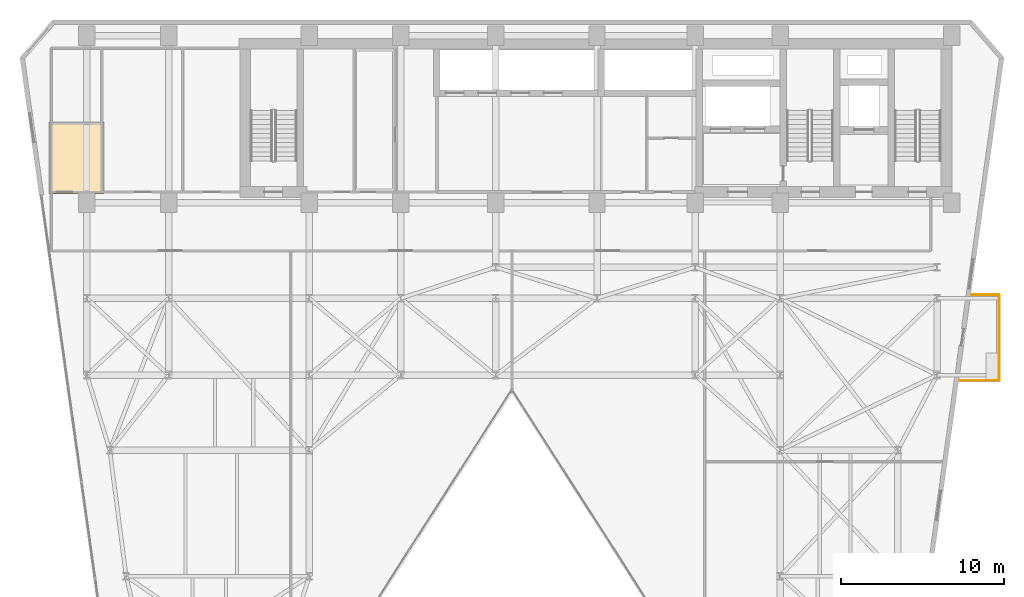
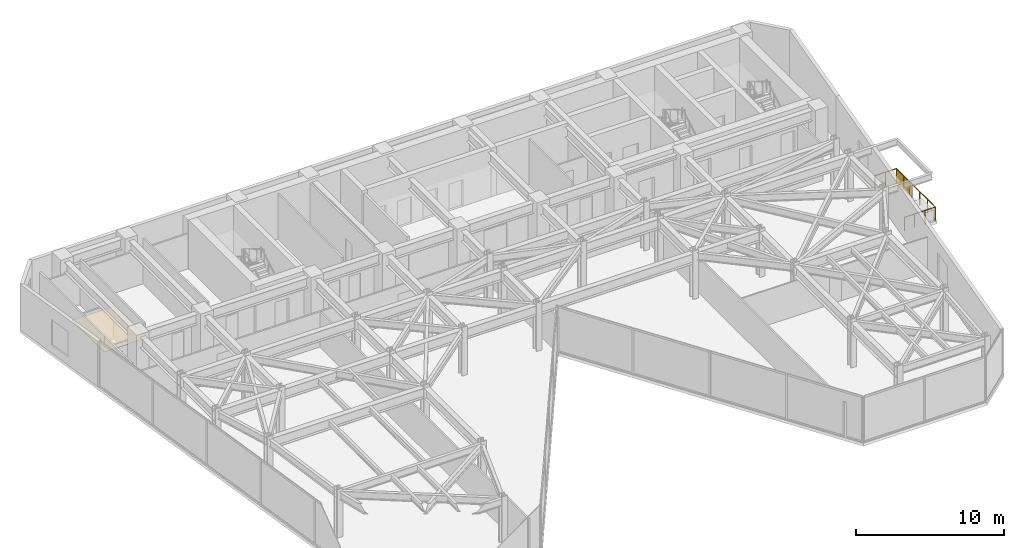
# One storey, part 24 of 26: 3 railings, 1 covering, 1 shading device.
"""IFC4 building model written with IfcOpenShell, lengths in metres."""

from ifc_helpers import new_model, si_unit, direction, frame, origin, origin_2d, place, context, subcontext, project, spatial, polyline, rectangle, circle, outline, extrude, material, layer, layer_set, type_object, element, save


model = new_model("IFC4")

# Units and contexts
model_context = context("Model", 3, precision=1e-05, world=origin(), true_north=direction((0.0, 1.0)))
body_context = subcontext(model_context, "Body", "Model", "MODEL_VIEW")
ifc_project = project(units=[si_unit("LENGTHUNIT", "METRE"), si_unit("AREAUNIT", "SQUARE_METRE"), si_unit("VOLUMEUNIT", "CUBIC_METRE"), si_unit("PLANEANGLEUNIT", "RADIAN"), si_unit("MASSUNIT", "GRAM", prefix="KILO")], contexts=[model_context])

# Site, building, storey
site_placement = place(None, origin())
site = spatial("IfcSite", under=ifc_project, at=site_placement, CompositionType="ELEMENT")
building_placement = place(site_placement, origin())
building = spatial("IfcBuilding", under=site, at=building_placement, Name="Kravanh Interchange Tower", CompositionType="ELEMENT")
storey_placement = place(building_placement, frame((0.0, 0.0, 120.0)))
storey = spatial("IfcBuildingStorey", under=building, at=storey_placement, Name="L28", CompositionType="ELEMENT", Elevation=120.0)

# Covering
ifc_material_1 = material(Name="Acoustic Mineral Fibre Tile on Aluminium Grid", Category="aluminium")
ifc_layer_1 = layer(ifc_material_1, 0.02490234375)
ifc_layer_set_1 = layer_set([ifc_layer_1], Name="Perforated Acoustic Mineral Ceiling 25mm")
covering_type = type_object("IfcCoveringType", Name="Perforated Acoustic Mineral Ceiling 25mm", PredefinedType="CEILING", material=ifc_layer_set_1)
covering_placement = place(storey_placement, frame((0.0, 0.0, 2.550048828125)))
element("IfcCovering", 1, at=covering_placement, inside=storey, type_object=covering_type, Name="L28 Accessible WC Suspended Ceiling", PredefinedType="CEILING", context=body_context, shape_type="SweptSolid", body=[
    extrude(outline(polyline([(14.659912109375, 42.280029296875), (14.659912109375, 37.909912109375), (14.10009765625, 37.909912109375), (14.10009765625, 37.949951171875), (13.10009765625, 37.949951171875), (13.10009765625, 37.909912109375), (11.280029296875, 37.909912109375), (11.280029296875, 42.280029296875), (14.659912109375, 42.280029296875)])), origin(), (0.0, 0.0, 1.0), 0.02490234375),
])

# Shading device
ifc_material_2 = material(Name="Perforated Anodised Bronze Aluminium", Category="aluminium")
ifc_layer_2 = layer(ifc_material_2, 0.0400390625)
ifc_layer_set_2 = layer_set([ifc_layer_2], Name="Perforated Bronze Balcony Privacy Screen 1150mm")
shading_device_type = type_object("IfcShadingDeviceType", Name="Perforated Bronze Balcony Privacy Screen 1150mm", PredefinedType="USERDEFINED", material=ifc_layer_set_2)
shading_device_placement = place(storey_placement, frame((69.409912109375, 30.739990234375, 0.0), z_axis=(0.0, 0.0, 1.0), x_axis=(1.0, 0.0, 0.0)))
element("IfcShadingDevice", 2, at=shading_device_placement, inside=storey, type_object=shading_device_type, Name="L28 E Perforated Bronze BALCONY SCREEN", ObjectType="SCREEN", PredefinedType="USERDEFINED", context=body_context, shape_type="SweptSolid", body=[
    extrude(rectangle(XDim=0.0400390625, YDim=1.800048828125, at=origin_2d()), origin(), (0.0, 0.0, 1.0), 1.14990234375),
])

# Railings
ifc_material_3 = material(Name="Stainless Steel 316", Category="steel")
ifc_layer_3 = layer(ifc_material_3, 0.06005859375)
ifc_layer_set_3 = layer_set([ifc_layer_3], Name="Perimeter Balcony and Terrace Guardrail Stainless 316 1120mm")
railing_type = type_object("IfcRailingType", Name="Perimeter Balcony and Terrace Guardrail Stainless 316 1120mm", PredefinedType="GUARDRAIL", material=ifc_layer_set_3)
railing_1_placement = place(storey_placement, frame((69.409912109375, 31.7099609375, 0.0)))
element("IfcRailing", 3, at=railing_1_placement, inside=storey, type_object=railing_type, Name="L28 E Balcony Guardrail 1", PredefinedType="GUARDRAIL", context=body_context, shape_type="SweptSolid", body=[
    extrude(circle(Radius=0.02392578125, at=origin_2d()), frame((0.0, 0.0, 1.09619140625), z_axis=(0.0, -1.0, 0.0), x_axis=(1.0, 0.0, 0.0)), (0.0, 0.0, 1.0), 5.239990234375),
    extrude(circle(Radius=0.02099609375, at=origin_2d()), origin(), (0.0, 0.0, 1.0), 1.072021484375),
    extrude(circle(Radius=0.02099609375, at=origin_2d()), frame((0.0, -1.048095703125, 0.0)), (0.0, 0.0, 1.0), 1.072021484375),
    extrude(circle(Radius=0.02099609375, at=origin_2d()), frame((0.0, -2.095947265625, 0.0)), (0.0, 0.0, 1.0), 1.072021484375),
    extrude(circle(Radius=0.02099609375, at=origin_2d()), frame((0.0, -3.14404296875, 0.0)), (0.0, 0.0, 1.0), 1.072021484375),
    extrude(circle(Radius=0.02099609375, at=origin_2d()), frame((0.0, -4.19189453125, 0.0)), (0.0, 0.0, 1.0), 1.072021484375),
    extrude(circle(Radius=0.02099609375, at=origin_2d()), frame((0.0, -5.239990234375, 0.0)), (0.0, 0.0, 1.0), 1.072021484375),
])
railing_2_placement = place(storey_placement, frame((69.409912109375, 26.469970703125, 0.0)))
element("IfcRailing", 4, at=railing_2_placement, inside=storey, type_object=railing_type, Name="L28 E Balcony Guardrail 2", PredefinedType="GUARDRAIL", context=body_context, shape_type="SweptSolid", body=[
    extrude(circle(Radius=0.02392578125, at=origin_2d()), frame((0.0, 0.0, 1.09619140625), z_axis=(-1.0, 0.0, 0.0), x_axis=(0.0, -1.0, 0.0)), (0.0, 0.0, 1.0), 2.41015625),
    extrude(circle(Radius=0.02099609375, at=origin_2d()), origin(), (0.0, 0.0, 1.0), 1.072021484375),
    extrude(circle(Radius=0.02099609375, at=origin_2d()), frame((-0.803466796875, 0.0, 0.0)), (0.0, 0.0, 1.0), 1.072021484375),
    extrude(circle(Radius=0.02099609375, at=origin_2d()), frame((-1.606689453125, 0.0, 0.0)), (0.0, 0.0, 1.0), 1.072021484375),
    extrude(circle(Radius=0.02099609375, at=origin_2d()), frame((-2.41015625, 0.0, 0.0)), (0.0, 0.0, 1.0), 1.072021484375),
])
railing_3_placement = place(storey_placement, frame((67.736083984375, 31.7099609375, 0.0)))
element("IfcRailing", 5, at=railing_3_placement, inside=storey, type_object=railing_type, Name="L28 E Balcony Guardrail 3", PredefinedType="GUARDRAIL", context=body_context, shape_type="SweptSolid", body=[
    extrude(circle(Radius=0.02392578125, at=origin_2d()), frame((0.0, 0.0, 1.09619140625), z_axis=(1.0, 0.0, 0.0), x_axis=(0.0, 1.0, 0.0)), (0.0, 0.0, 1.0), 1.673828125),
    extrude(circle(Radius=0.02099609375, at=origin_2d()), origin(), (0.0, 0.0, 1.0), 1.072021484375),
    extrude(circle(Radius=0.02099609375, at=origin_2d()), frame((0.8369140625, 0.0, 0.0)), (0.0, 0.0, 1.0), 1.072021484375),
    extrude(circle(Radius=0.02099609375, at=origin_2d()), frame((1.673828125, 0.0, 0.0)), (0.0, 0.0, 1.0), 1.072021484375),
])

save(model, "model.ifc")
